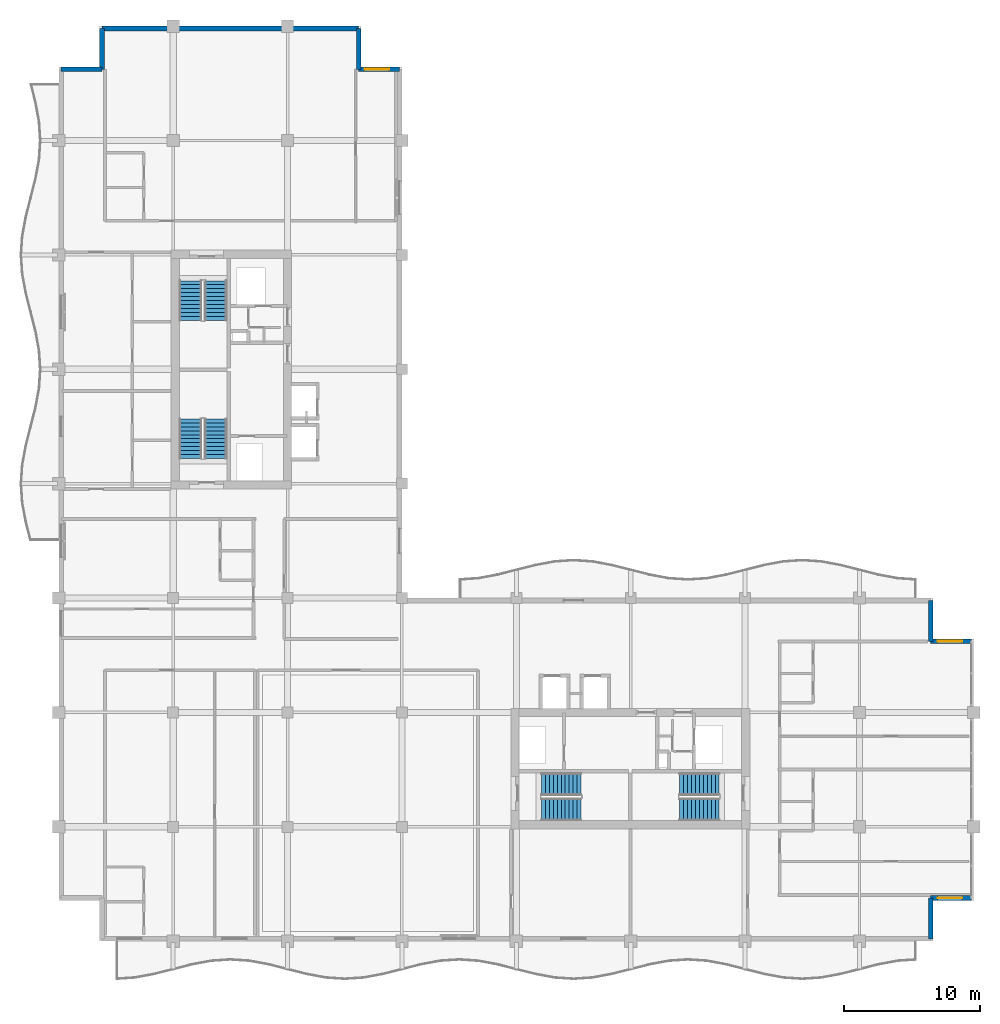
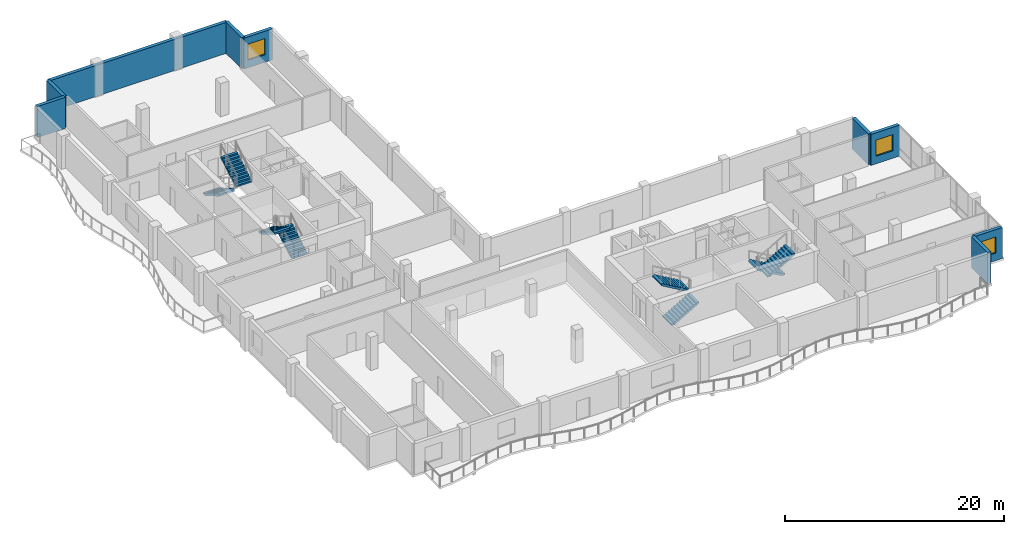
# One storey, part 11 of 16: 9 walls, 8 stair flights, 3 windows, 3 openings, 4 elements without a shape of their own.
"""IFC4 building model written with IfcOpenShell, lengths in metres."""

from ifc_helpers import new_model, si_unit, direction, frame, frame_2d, origin, place, context, subcontext, project, spatial, polyline, rectangle, outline, extrude, material, layer, layer_set, type_object, element, fill, aggregate, save


model = new_model("IFC4")

# Units and contexts
model_context = context("Model", 3, precision=1e-05, world=origin(), true_north=direction((0.0, 1.0)))
body_context = subcontext(model_context, "Body", "Model", "MODEL_VIEW")
ifc_project = project(units=[si_unit("LENGTHUNIT", "METRE"), si_unit("AREAUNIT", "SQUARE_METRE"), si_unit("VOLUMEUNIT", "CUBIC_METRE"), si_unit("PLANEANGLEUNIT", "RADIAN"), si_unit("MASSUNIT", "GRAM", prefix="KILO")], contexts=[model_context])

# Site, building, storey
site_placement = place(None, origin())
site = spatial("IfcSite", under=ifc_project, at=site_placement, CompositionType="ELEMENT")
building_placement = place(site_placement, origin())
building = spatial("IfcBuilding", under=site, at=building_placement, Name="Koriwani Terraces Tower", CompositionType="ELEMENT")
storey_placement = place(building_placement, frame((0.0, 0.0, 274.89990234375)))
storey = spatial("IfcBuildingStorey", under=building, at=storey_placement, Name="L68", CompositionType="ELEMENT", Elevation=274.89990234375)

# Walls
ifc_material_1 = material(Name="Concrete C50/60", Category="concrete")
ifc_layer = layer(ifc_material_1, 0.35009765625, Name="Concrete C50/60")
ifc_layer_set = layer_set([ifc_layer], Name="Concrete C50/60")
wall_type = type_object("IfcWallType", Name="WALL_EXT_BRUTALIST_350", PredefinedType="STANDARD", material=ifc_layer_set)
for number, where, z_axis, x_axis, name in (
    (1, (8.574951171875, 72.425048828125, 0.0), (0.0, 0.0, 1.0), (1.0, 0.0, 0.0), "L68 Fair-Faced Brutalist Exterior Wall (N3)"),
    (2, (11.574951171875, 72.425048828125, 0.0), (0.0, 0.0, 1.0), (0.0, 1.0, 0.0), "L68 Fair-Faced Brutalist Exterior Wall (N4)"),
):
    element("IfcWall", number, at=place(storey_placement, frame(where, z_axis=z_axis, x_axis=x_axis)), inside=storey, type_object=wall_type, Name=name, PredefinedType="STANDARD", context=body_context, shape_type="SweptSolid", body=[
        extrude(rectangle(XDim=3.0, YDim=0.35009765625, at=frame_2d((1.5, 0.0))), origin(), (0.0, 0.0, 1.0), 3.47021484375),
    ])
wall_1_placement = place(storey_placement, frame((11.574951171875, 75.425048828125, 0.0), z_axis=(0.0, 0.0, 1.0), x_axis=(1.0, 0.0, 0.0)))
element("IfcWall", 3, at=wall_1_placement, inside=storey, type_object=wall_type, Name="L68 Fair-Faced Brutalist Exterior Wall (N_TIP)", PredefinedType="STANDARD", context=body_context, shape_type="SweptSolid", body=[
    extrude(rectangle(XDim=18.85009765625, YDim=0.35009765625, at=frame_2d((9.425048828125, 0.0))), origin(), (0.0, 0.0, 1.0), 3.47021484375),
])
wall_2_placement = place(storey_placement, frame((30.425048828125, 75.425048828125, 0.0), z_axis=(0.0, 0.0, 1.0), x_axis=(0.0, -1.0, 0.0)))
element("IfcWall", 4, at=wall_2_placement, inside=storey, type_object=wall_type, Name="L68 Fair-Faced Brutalist Exterior Wall (N6)", PredefinedType="STANDARD", context=body_context, shape_type="SweptSolid", body=[
    extrude(rectangle(XDim=3.0, YDim=0.35009765625, at=frame_2d((1.5, 0.0))), origin(), (0.0, 0.0, 1.0), 3.47021484375),
])

# Wall, opening, window
wall_3_placement = place(storey_placement, frame((30.425048828125, 72.425048828125, 0.0), z_axis=(0.0, 0.0, 1.0), x_axis=(1.0, 0.0, 0.0)))
wall_3 = element("IfcWall", 5, at=wall_3_placement, inside=storey, type_object=wall_type, Name="L68 Fair-Faced Brutalist Exterior Wall (N7)", PredefinedType="STANDARD", context=body_context, shape_type="SweptSolid", body=[
    extrude(rectangle(XDim=3.0, YDim=0.35009765625, at=frame_2d((1.5, 0.0))), origin(), (0.0, 0.0, 1.0), 3.47021484375),
])
opening_1_placement = place(wall_3_placement, frame((0.4375, 0.0, 0.85009765625)))
opening_1 = element("IfcOpeningElement", 6, at=opening_1_placement, cuts=wall_3, Name="Opening W-04", PredefinedType="OPENING", context=body_context, shape_type="SweptSolid", body=[
    extrude(rectangle(XDim=1.800048828125, YDim=1.800048828125, at=frame_2d((0.89990234375, 0.89990234375))), frame((0.0, 0.18505859375, 0.0), z_axis=(0.0, -1.0, 0.0), x_axis=(1.0, 0.0, 0.0)), (0.0, 0.0, 1.0), 0.3701171875),
])
ifc_material_2 = material(Name="Tempered Laminated Low-E Glass", Category="glass")
window_type = type_object("IfcWindowType", Name="WIN_RES_BED_1800X1800", PartitioningType="DOUBLE_PANEL_VERTICAL", PredefinedType="WINDOW", material=ifc_material_2)
window_1_placement = place(opening_1_placement, origin())
window_1 = element("IfcWindow", 7, at=window_1_placement, inside=storey, type_object=window_type, Name="L68 Exterior Window (N7-R42)", OverallHeight=1.800048828125, OverallWidth=1.800048828125, PartitioningType="SINGLE_PANEL", PredefinedType="WINDOW", context=body_context, shape_type="SweptSolid", body=[
    extrude(rectangle(XDim=1.800048828125, YDim=1.800048828125, at=frame_2d((0.89990234375, 0.89990234375))), frame((0.0, 0.030029296875, 0.0), z_axis=(0.0, -1.0, 0.0), x_axis=(1.0, 0.0, 0.0)), (0.0, 0.0, 1.0), 0.06005859375),
])
fill(opening_1, window_1)

# Wall
wall_4_placement = place(storey_placement, frame((72.425048828125, 33.425048828125, 0.0), z_axis=(0.0, 0.0, 1.0), x_axis=(0.0, -1.0, 0.0)))
element("IfcWall", 8, at=wall_4_placement, inside=storey, type_object=wall_type, Name="L68 Fair-Faced Brutalist Exterior Wall (N10)", PredefinedType="STANDARD", context=body_context, shape_type="SweptSolid", body=[
    extrude(rectangle(XDim=3.0, YDim=0.35009765625, at=frame_2d((1.5, 0.0))), origin(), (0.0, 0.0, 1.0), 3.47021484375),
])

# Wall, opening, window
wall_5_placement = place(storey_placement, frame((72.425048828125, 30.425048828125, 0.0), z_axis=(0.0, 0.0, 1.0), x_axis=(1.0, 0.0, 0.0)))
wall_5 = element("IfcWall", 9, at=wall_5_placement, inside=storey, type_object=wall_type, Name="L68 Fair-Faced Brutalist Exterior Wall (N11)", PredefinedType="STANDARD", context=body_context, shape_type="SweptSolid", body=[
    extrude(rectangle(XDim=3.0, YDim=0.35009765625, at=frame_2d((1.5, 0.0))), origin(), (0.0, 0.0, 1.0), 3.47021484375),
])
opening_2_placement = place(wall_5_placement, frame((0.507568359375, 0.0, 0.85009765625)))
opening_2 = element("IfcOpeningElement", 10, at=opening_2_placement, cuts=wall_5, Name="Opening W-04", PredefinedType="OPENING", context=body_context, shape_type="SweptSolid", body=[
    extrude(rectangle(XDim=1.800048828125, YDim=1.800048828125, at=frame_2d((0.89990234375, 0.89990234375))), frame((0.0, 0.18505859375, 0.0), z_axis=(0.0, -1.0, 0.0), x_axis=(1.0, 0.0, 0.0)), (0.0, 0.0, 1.0), 0.3701171875),
])
window_2_placement = place(opening_2_placement, origin())
window_2 = element("IfcWindow", 11, at=window_2_placement, inside=storey, type_object=window_type, Name="L68 Exterior Window (N11-R51)", OverallHeight=1.800048828125, OverallWidth=1.800048828125, PartitioningType="SINGLE_PANEL", PredefinedType="WINDOW", context=body_context, shape_type="SweptSolid", body=[
    extrude(rectangle(XDim=1.800048828125, YDim=1.800048828125, at=frame_2d((0.89990234375, 0.89990234375))), frame((0.0, 0.030029296875, 0.0), z_axis=(0.0, -1.0, 0.0), x_axis=(1.0, 0.0, 0.0)), (0.0, 0.0, 1.0), 0.06005859375),
])
fill(opening_2, window_2)

wall_6_placement = place(storey_placement, frame((75.425048828125, 11.574951171875, 0.0), z_axis=(0.0, 0.0, 1.0), x_axis=(-1.0, 0.0, 0.0)))
wall_6 = element("IfcWall", 12, at=wall_6_placement, inside=storey, type_object=wall_type, Name="L68 Fair-Faced Brutalist Exterior Wall (N13)", PredefinedType="STANDARD", context=body_context, shape_type="SweptSolid", body=[
    extrude(rectangle(XDim=3.0, YDim=0.35009765625, at=frame_2d((1.5, 0.0))), origin(), (0.0, 0.0, 1.0), 3.47021484375),
])
opening_3_placement = place(wall_6_placement, frame((0.6923828125, 0.0, 0.85009765625)))
opening_3 = element("IfcOpeningElement", 13, at=opening_3_placement, cuts=wall_6, Name="Opening W-04", PredefinedType="OPENING", context=body_context, shape_type="SweptSolid", body=[
    extrude(rectangle(XDim=1.800048828125, YDim=1.800048828125, at=frame_2d((0.89990234375, 0.89990234375))), frame((0.0, 0.18505859375, 0.0), z_axis=(0.0, -1.0, 0.0), x_axis=(1.0, 0.0, 0.0)), (0.0, 0.0, 1.0), 0.3701171875),
])
window_3_placement = place(opening_3_placement, origin())
window_3 = element("IfcWindow", 14, at=window_3_placement, inside=storey, type_object=window_type, Name="L68 Exterior Window (N13-R46)", OverallHeight=1.800048828125, OverallWidth=1.800048828125, PartitioningType="SINGLE_PANEL", PredefinedType="WINDOW", context=body_context, shape_type="SweptSolid", body=[
    extrude(rectangle(XDim=1.800048828125, YDim=1.800048828125, at=frame_2d((0.89990234375, 0.89990234375))), frame((0.0, 0.030029296875, 0.0), z_axis=(0.0, -1.0, 0.0), x_axis=(1.0, 0.0, 0.0)), (0.0, 0.0, 1.0), 0.06005859375),
])
fill(opening_3, window_3)

# Wall
wall_7_placement = place(storey_placement, frame((72.425048828125, 11.574951171875, 0.0), z_axis=(0.0, 0.0, 1.0), x_axis=(0.0, -1.0, 0.0)))
element("IfcWall", 15, at=wall_7_placement, inside=storey, type_object=wall_type, Name="L68 Fair-Faced Brutalist Exterior Wall (N14)", PredefinedType="STANDARD", context=body_context, shape_type="SweptSolid", body=[
    extrude(rectangle(XDim=3.0, YDim=0.35009765625, at=frame_2d((1.5, 0.0))), origin(), (0.0, 0.0, 1.0), 3.47021484375),
])

# Stair, stair flights
ifc_material_3 = material(Name="Concrete C40/50", Category="concrete")
stair_type = type_object("IfcStairType", Name="STAIR_CORE_DOGLEG_1650", PredefinedType="TWO_STRAIGHT_RUN_STAIR", material=ifc_material_3)
stair_1_placement = place(storey_placement, origin())
stair_1 = element("IfcStair", 16, at=stair_1_placement, inside=storey, type_object=stair_type, Name="L68 West Core Exit Stair 1", PredefinedType="HALF_TURN_STAIR")
stair_flight_type = type_object("IfcStairFlightType", Name="STAIR_FLIGHT_RC_1650", PredefinedType="STRAIGHT", material=ifc_material_3)
stair_flight_1_placement = place(storey_placement, frame((19.925048828125, 43.85009765625, 0.0), z_axis=(0.0, 0.0, 1.0), x_axis=(0.0, 1.0, 0.0)))
stair_flight_1 = element("IfcStairFlight", 17, at=stair_flight_1_placement, type_object=stair_flight_type, Name="ST-W1 flight 1", NumberOfRisers=11, NumberOfTreads=10, PredefinedType="STRAIGHT", RiserHeight=0.168181818, TreadLength=0.29, context=body_context, shape_type="SweptSolid", body=[
    extrude(outline(polyline([(0.0, 0.0), (0.0, 0.168212890625), (0.2900390625, 0.168212890625), (0.2900390625, 0.33642578125), (0.580078125, 0.33642578125), (0.580078125, 0.504638671875), (0.8701171875, 0.504638671875), (0.8701171875, 0.672607421875), (1.159912109375, 0.672607421875), (1.159912109375, 0.8408203125), (1.449951171875, 0.8408203125), (1.449951171875, 1.009033203125), (1.739990234375, 1.009033203125), (1.739990234375, 1.17724609375), (2.030029296875, 1.17724609375), (2.030029296875, 1.345458984375), (2.320068359375, 1.345458984375), (2.320068359375, 1.513671875), (2.610107421875, 1.513671875), (2.610107421875, 1.681884765625), (2.89990234375, 1.681884765625), (2.89990234375, 1.85009765625), (2.89990234375, 1.473876953125), (0.358642578125, 0.0), (0.0, 0.0)])), frame((0.0, 0.824951171875, 0.0), z_axis=(0.0, -1.0, 0.0), x_axis=(1.0, 0.0, 0.0)), (0.0, 0.0, 1.0), 1.64990234375),
])
stair_flight_2_placement = place(storey_placement, frame((18.074951171875, 46.75, 1.85009765625), z_axis=(0.0, 0.0, 1.0), x_axis=(0.0, -1.0, 0.0)))
stair_flight_2 = element("IfcStairFlight", 18, at=stair_flight_2_placement, type_object=stair_flight_type, Name="ST-W1 flight 2", NumberOfRisers=11, NumberOfTreads=10, PredefinedType="STRAIGHT", RiserHeight=0.168181818, TreadLength=0.29, context=body_context, shape_type="SweptSolid", body=[
    extrude(outline(polyline([(0.0, 0.0), (0.0, 0.168212890625), (0.2900390625, 0.168212890625), (0.2900390625, 0.33642578125), (0.580078125, 0.33642578125), (0.580078125, 0.504638671875), (0.8701171875, 0.504638671875), (0.8701171875, 0.672607421875), (1.159912109375, 0.672607421875), (1.159912109375, 0.8408203125), (1.449951171875, 0.8408203125), (1.449951171875, 1.009033203125), (1.739990234375, 1.009033203125), (1.739990234375, 1.17724609375), (2.030029296875, 1.17724609375), (2.030029296875, 1.345458984375), (2.320068359375, 1.345458984375), (2.320068359375, 1.513671875), (2.610107421875, 1.513671875), (2.610107421875, 1.681884765625), (2.89990234375, 1.681884765625), (2.89990234375, 1.85009765625), (2.89990234375, 1.473876953125), (0.358642578125, 0.0), (0.0, 0.0)])), frame((0.0, 0.824951171875, 0.0), z_axis=(0.0, -1.0, 0.0), x_axis=(1.0, 0.0, 0.0)), (0.0, 0.0, 1.0), 1.64990234375),
])
aggregate(stair_1, [stair_flight_1, stair_flight_2])

stair_2_placement = place(storey_placement, origin())
stair_2 = element("IfcStair", 19, at=stair_2_placement, inside=storey, type_object=stair_type, Name="L68 West Core Exit Stair 2", PredefinedType="HALF_TURN_STAIR")
stair_flight_3_placement = place(storey_placement, frame((18.074951171875, 56.89990234375, 0.0), z_axis=(0.0, 0.0, 1.0), x_axis=(0.0, -1.0, 0.0)))
stair_flight_3 = element("IfcStairFlight", 20, at=stair_flight_3_placement, type_object=stair_flight_type, Name="ST-W2 flight 1", NumberOfRisers=11, NumberOfTreads=10, PredefinedType="STRAIGHT", RiserHeight=0.168181818, TreadLength=0.29, context=body_context, shape_type="SweptSolid", body=[
    extrude(outline(polyline([(0.0, 0.0), (0.0, 0.168212890625), (0.2900390625, 0.168212890625), (0.2900390625, 0.33642578125), (0.580078125, 0.33642578125), (0.580078125, 0.504638671875), (0.8701171875, 0.504638671875), (0.8701171875, 0.672607421875), (1.159912109375, 0.672607421875), (1.159912109375, 0.8408203125), (1.449951171875, 0.8408203125), (1.449951171875, 1.009033203125), (1.739990234375, 1.009033203125), (1.739990234375, 1.17724609375), (2.030029296875, 1.17724609375), (2.030029296875, 1.345458984375), (2.320068359375, 1.345458984375), (2.320068359375, 1.513671875), (2.610107421875, 1.513671875), (2.610107421875, 1.681884765625), (2.89990234375, 1.681884765625), (2.89990234375, 1.85009765625), (2.89990234375, 1.473876953125), (0.358642578125, 0.0), (0.0, 0.0)])), frame((0.0, 0.824951171875, 0.0), z_axis=(0.0, -1.0, 0.0), x_axis=(1.0, 0.0, 0.0)), (0.0, 0.0, 1.0), 1.64990234375),
])
stair_flight_4_placement = place(storey_placement, frame((19.925048828125, 54.0, 1.85009765625), z_axis=(0.0, 0.0, 1.0), x_axis=(0.0, 1.0, 0.0)))
stair_flight_4 = element("IfcStairFlight", 21, at=stair_flight_4_placement, type_object=stair_flight_type, Name="ST-W2 flight 2", NumberOfRisers=11, NumberOfTreads=10, PredefinedType="STRAIGHT", RiserHeight=0.168181818, TreadLength=0.29, context=body_context, shape_type="SweptSolid", body=[
    extrude(outline(polyline([(0.0, 0.0), (0.0, 0.168212890625), (0.2900390625, 0.168212890625), (0.2900390625, 0.33642578125), (0.580078125, 0.33642578125), (0.580078125, 0.504638671875), (0.8701171875, 0.504638671875), (0.8701171875, 0.672607421875), (1.159912109375, 0.672607421875), (1.159912109375, 0.8408203125), (1.449951171875, 0.8408203125), (1.449951171875, 1.009033203125), (1.739990234375, 1.009033203125), (1.739990234375, 1.17724609375), (2.030029296875, 1.17724609375), (2.030029296875, 1.345458984375), (2.320068359375, 1.345458984375), (2.320068359375, 1.513671875), (2.610107421875, 1.513671875), (2.610107421875, 1.681884765625), (2.89990234375, 1.681884765625), (2.89990234375, 1.85009765625), (2.89990234375, 1.473876953125), (0.358642578125, 0.0), (0.0, 0.0)])), frame((0.0, 0.824951171875, 0.0), z_axis=(0.0, -1.0, 0.0), x_axis=(1.0, 0.0, 0.0)), (0.0, 0.0, 1.0), 1.64990234375),
])
aggregate(stair_2, [stair_flight_3, stair_flight_4])

stair_3_placement = place(storey_placement, origin())
stair_3 = element("IfcStair", 22, at=stair_3_placement, inside=storey, type_object=stair_type, Name="L68 East Core Exit Stair 1", PredefinedType="HALF_TURN_STAIR")
stair_flight_5_placement = place(storey_placement, frame((43.85009765625, 18.074951171875, 0.0), z_axis=(0.0, 0.0, 1.0), x_axis=(1.0, 0.0, 0.0)))
stair_flight_5 = element("IfcStairFlight", 23, at=stair_flight_5_placement, type_object=stair_flight_type, Name="ST-E1 flight 1", NumberOfRisers=11, NumberOfTreads=10, PredefinedType="STRAIGHT", RiserHeight=0.168181818, TreadLength=0.29, context=body_context, shape_type="SweptSolid", body=[
    extrude(outline(polyline([(0.0, 0.0), (0.0, 0.168212890625), (0.2900390625, 0.168212890625), (0.2900390625, 0.33642578125), (0.580078125, 0.33642578125), (0.580078125, 0.504638671875), (0.8701171875, 0.504638671875), (0.8701171875, 0.672607421875), (1.159912109375, 0.672607421875), (1.159912109375, 0.8408203125), (1.449951171875, 0.8408203125), (1.449951171875, 1.009033203125), (1.739990234375, 1.009033203125), (1.739990234375, 1.17724609375), (2.030029296875, 1.17724609375), (2.030029296875, 1.345458984375), (2.320068359375, 1.345458984375), (2.320068359375, 1.513671875), (2.610107421875, 1.513671875), (2.610107421875, 1.681884765625), (2.89990234375, 1.681884765625), (2.89990234375, 1.85009765625), (2.89990234375, 1.473876953125), (0.358642578125, 0.0), (0.0, 0.0)])), frame((0.0, 0.824951171875, 0.0), z_axis=(0.0, -1.0, 0.0), x_axis=(1.0, 0.0, 0.0)), (0.0, 0.0, 1.0), 1.64990234375),
])
stair_flight_6_placement = place(storey_placement, frame((46.75, 19.925048828125, 1.85009765625), z_axis=(0.0, 0.0, 1.0), x_axis=(-1.0, 0.0, 0.0)))
stair_flight_6 = element("IfcStairFlight", 24, at=stair_flight_6_placement, type_object=stair_flight_type, Name="ST-E1 flight 2", NumberOfRisers=11, NumberOfTreads=10, PredefinedType="STRAIGHT", RiserHeight=0.168181818, TreadLength=0.29, context=body_context, shape_type="SweptSolid", body=[
    extrude(outline(polyline([(0.0, 0.0), (0.0, 0.168212890625), (0.2900390625, 0.168212890625), (0.2900390625, 0.33642578125), (0.580078125, 0.33642578125), (0.580078125, 0.504638671875), (0.8701171875, 0.504638671875), (0.8701171875, 0.672607421875), (1.159912109375, 0.672607421875), (1.159912109375, 0.8408203125), (1.449951171875, 0.8408203125), (1.449951171875, 1.009033203125), (1.739990234375, 1.009033203125), (1.739990234375, 1.17724609375), (2.030029296875, 1.17724609375), (2.030029296875, 1.345458984375), (2.320068359375, 1.345458984375), (2.320068359375, 1.513671875), (2.610107421875, 1.513671875), (2.610107421875, 1.681884765625), (2.89990234375, 1.681884765625), (2.89990234375, 1.85009765625), (2.89990234375, 1.473876953125), (0.358642578125, 0.0), (0.0, 0.0)])), frame((0.0, 0.824951171875, 0.0), z_axis=(0.0, -1.0, 0.0), x_axis=(1.0, 0.0, 0.0)), (0.0, 0.0, 1.0), 1.64990234375),
])
aggregate(stair_3, [stair_flight_5, stair_flight_6])

stair_4_placement = place(storey_placement, origin())
stair_4 = element("IfcStair", 25, at=stair_4_placement, inside=storey, type_object=stair_type, Name="L68 East Core Exit Stair 2", PredefinedType="HALF_TURN_STAIR")
stair_flight_7_placement = place(storey_placement, frame((56.89990234375, 19.925048828125, 0.0), z_axis=(0.0, 0.0, 1.0), x_axis=(-1.0, 0.0, 0.0)))
stair_flight_7 = element("IfcStairFlight", 26, at=stair_flight_7_placement, type_object=stair_flight_type, Name="ST-E2 flight 1", NumberOfRisers=11, NumberOfTreads=10, PredefinedType="STRAIGHT", RiserHeight=0.168181818, TreadLength=0.29, context=body_context, shape_type="SweptSolid", body=[
    extrude(outline(polyline([(0.0, 0.0), (0.0, 0.168212890625), (0.2900390625, 0.168212890625), (0.2900390625, 0.33642578125), (0.580078125, 0.33642578125), (0.580078125, 0.504638671875), (0.8701171875, 0.504638671875), (0.8701171875, 0.672607421875), (1.159912109375, 0.672607421875), (1.159912109375, 0.8408203125), (1.449951171875, 0.8408203125), (1.449951171875, 1.009033203125), (1.739990234375, 1.009033203125), (1.739990234375, 1.17724609375), (2.030029296875, 1.17724609375), (2.030029296875, 1.345458984375), (2.320068359375, 1.345458984375), (2.320068359375, 1.513671875), (2.610107421875, 1.513671875), (2.610107421875, 1.681884765625), (2.89990234375, 1.681884765625), (2.89990234375, 1.85009765625), (2.89990234375, 1.473876953125), (0.358642578125, 0.0), (0.0, 0.0)])), frame((0.0, 0.824951171875, 0.0), z_axis=(0.0, -1.0, 0.0), x_axis=(1.0, 0.0, 0.0)), (0.0, 0.0, 1.0), 1.64990234375),
])
stair_flight_8_placement = place(storey_placement, frame((54.0, 18.074951171875, 1.85009765625), z_axis=(0.0, 0.0, 1.0), x_axis=(1.0, 0.0, 0.0)))
stair_flight_8 = element("IfcStairFlight", 27, at=stair_flight_8_placement, type_object=stair_flight_type, Name="ST-E2 flight 2", NumberOfRisers=11, NumberOfTreads=10, PredefinedType="STRAIGHT", RiserHeight=0.168181818, TreadLength=0.29, context=body_context, shape_type="SweptSolid", body=[
    extrude(outline(polyline([(0.0, 0.0), (0.0, 0.168212890625), (0.2900390625, 0.168212890625), (0.2900390625, 0.33642578125), (0.580078125, 0.33642578125), (0.580078125, 0.504638671875), (0.8701171875, 0.504638671875), (0.8701171875, 0.672607421875), (1.159912109375, 0.672607421875), (1.159912109375, 0.8408203125), (1.449951171875, 0.8408203125), (1.449951171875, 1.009033203125), (1.739990234375, 1.009033203125), (1.739990234375, 1.17724609375), (2.030029296875, 1.17724609375), (2.030029296875, 1.345458984375), (2.320068359375, 1.345458984375), (2.320068359375, 1.513671875), (2.610107421875, 1.513671875), (2.610107421875, 1.681884765625), (2.89990234375, 1.681884765625), (2.89990234375, 1.85009765625), (2.89990234375, 1.473876953125), (0.358642578125, 0.0), (0.0, 0.0)])), frame((0.0, 0.824951171875, 0.0), z_axis=(0.0, -1.0, 0.0), x_axis=(1.0, 0.0, 0.0)), (0.0, 0.0, 1.0), 1.64990234375),
])
aggregate(stair_4, [stair_flight_7, stair_flight_8])

save(model, "model.ifc")
